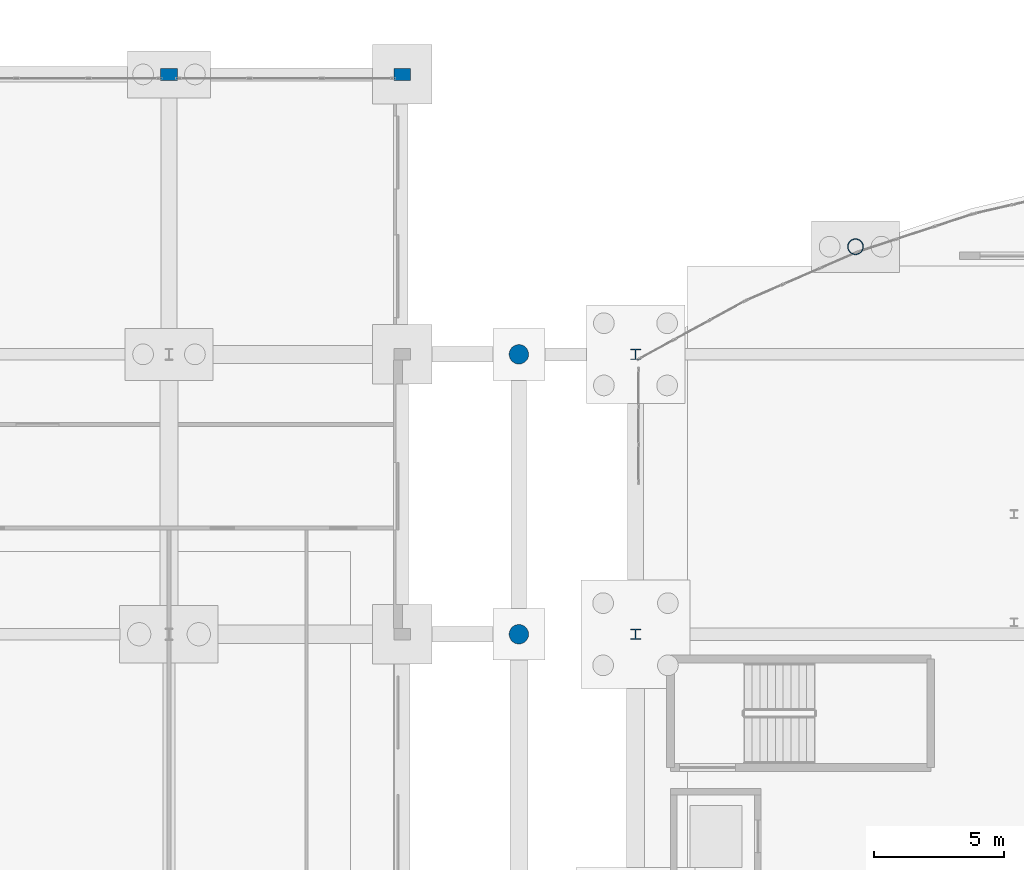
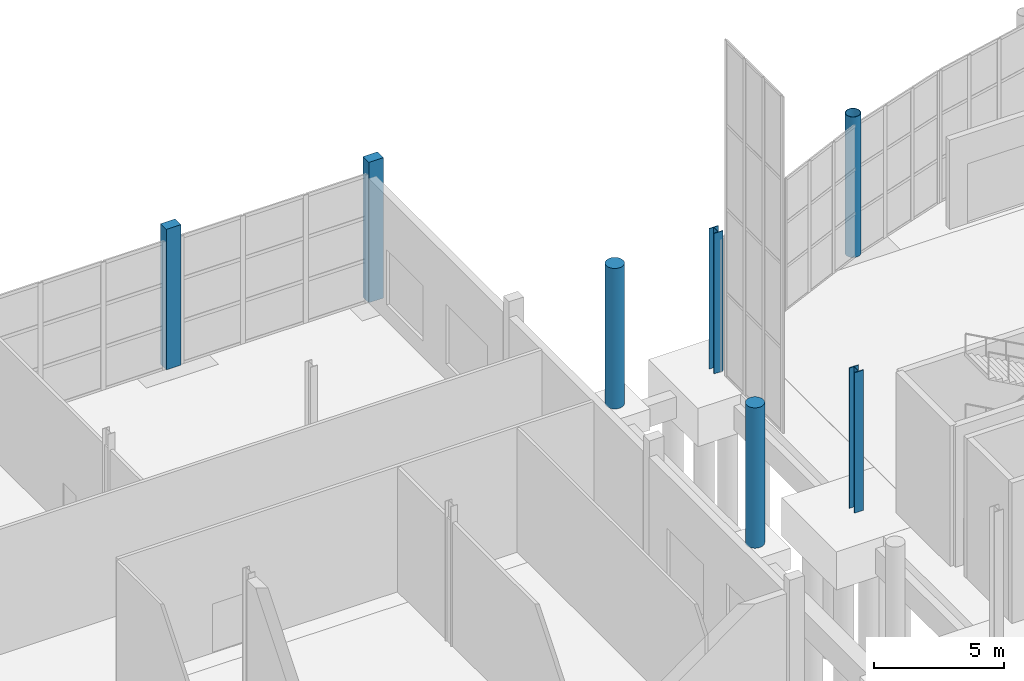
# One storey, part 20 of 115: 7 columns.
"""IFC4 building model written with IfcOpenShell, lengths in metres."""

from ifc_helpers import new_model, si_unit, direction, frame, origin, origin_2d, place, context, subcontext, project, spatial, rectangle, circle, hollow_circle, i_section, extrude, material, material_profile, profile_set, type_object, element, save


model = new_model("IFC4")

# Units and contexts
model_context = context("Model", 3, precision=1e-05, world=origin(), true_north=direction((0.0, 1.0)))
body_context = subcontext(model_context, "Body", "Model", "MODEL_VIEW")
ifc_project = project(units=[si_unit("LENGTHUNIT", "METRE"), si_unit("AREAUNIT", "SQUARE_METRE"), si_unit("VOLUMEUNIT", "CUBIC_METRE"), si_unit("PLANEANGLEUNIT", "RADIAN"), si_unit("MASSUNIT", "GRAM", prefix="KILO")], contexts=[model_context])

# Site, building, storey
site_placement = place(None, origin())
site = spatial("IfcSite", under=ifc_project, at=site_placement, CompositionType="ELEMENT")
building_placement = place(site_placement, origin())
building = spatial("IfcBuilding", under=site, at=building_placement, Name="Tamarisk Ironworks Central Station", CompositionType="ELEMENT")
storey_placement = place(building_placement, origin())
storey = spatial("IfcBuildingStorey", under=building, at=storey_placement, Name="L00", CompositionType="ELEMENT", Elevation=0.0)

# Columns
ifc_material_1 = material(Name="Clay facing brickwork and mortar", Category="masonry")
ifc_material_profile_1 = material_profile(ifc_material_1, rectangle(XDim=0.64990234375, YDim=0.449951171875, at=origin_2d()), Name="PIL 650x450")
ifc_profile_set_1 = profile_set([ifc_material_profile_1], Name="Clay facing brickwork and mortar")
column_type_1 = type_object("IfcColumnType", Name="COL-PIL01", PredefinedType="PILASTER", material=ifc_profile_set_1)
for number, where, z_axis, x_axis, name in (
    (1, (36.0, 122.39990234375, 0.0), (0.0, 0.0, 1.0), (1.0, 0.0, 0.0), "L00 column V4-05N"),
    (2, (45.0, 122.39990234375, 0.0), (0.0, 0.0, 1.0), (1.0, 0.0, 0.0), "L00 column V4-06N"),
):
    element("IfcColumn", number, at=place(storey_placement, frame(where, z_axis=z_axis, x_axis=x_axis)), inside=storey, type_object=column_type_1, Name=name, PredefinedType="PILASTER", context=body_context, shape_type="SweptSolid", body=[
        extrude(rectangle(XDim=0.64990234375, YDim=0.449951171875, at=origin_2d()), origin(), (0.0, 0.0, 1.0), 6.60009765625),
    ])
ifc_material_2 = material(Name="Concrete C50/60", Category="concrete")
ifc_material_profile_2 = material_profile(ifc_material_2, circle(Radius=0.375, at=origin_2d()), Name="RC D750")
ifc_profile_set_2 = profile_set([ifc_material_profile_2], Name="Concrete C50/60")
column_type_2 = type_object("IfcColumnType", Name="COL-RC05", PredefinedType="COLUMN", material=ifc_profile_set_2)
for number, where, z_axis, x_axis, name in (
    (3, (49.5, 100.800048828125, 0.0), (0.0, 0.0, 1.0), (1.0, 0.0, 0.0), "L00 column CN-W2"),
    (4, (49.5, 111.60009765625, 0.0), (0.0, 0.0, 1.0), (1.0, 0.0, 0.0), "L00 column CN-W3"),
):
    element("IfcColumn", number, at=place(storey_placement, frame(where, z_axis=z_axis, x_axis=x_axis)), inside=storey, type_object=column_type_2, Name=name, PredefinedType="COLUMN", context=body_context, shape_type="SweptSolid", body=[
        extrude(circle(Radius=0.375, at=origin_2d()), origin(), (0.0, 0.0, 1.0), 6.60009765625),
    ])
ifc_material_3 = material(Name="Structural steel S355J2", Category="steel")
ifc_material_profile_3 = material_profile(ifc_material_3, i_section(OverallWidth=0.404052734375, OverallDepth=0.406982421875, WebThickness=0.020751953125, FlangeThickness=0.031982421875, at=origin_2d()), Name="HD 400x347")
ifc_profile_set_3 = profile_set([ifc_material_profile_3], Name="Structural steel S355J2")
column_type_3 = type_object("IfcColumnType", Name="COL-S03", PredefinedType="COLUMN", material=ifc_profile_set_3)
for number, where, z_axis, x_axis, name in (
    (5, (54.0, 100.800048828125, 0.0), (0.0, 0.0, 1.0), (1.0, 0.0, 0.0), "L00 column V2-07J"),
    (6, (54.0, 111.60009765625, 0.0), (0.0, 0.0, 1.0), (1.0, 0.0, 0.0), "L00 column V2-07L"),
):
    element("IfcColumn", number, at=place(storey_placement, frame(where, z_axis=z_axis, x_axis=x_axis)), inside=storey, type_object=column_type_3, Name=name, PredefinedType="COLUMN", context=body_context, shape_type="SweptSolid", body=[
        extrude(i_section(OverallWidth=0.404052734375, OverallDepth=0.406982421875, WebThickness=0.020751953125, FlangeThickness=0.031982421875, at=origin_2d()), origin(), (0.0, 0.0, 1.0), 6.60009765625),
    ])
ifc_material_4 = material(Name="Painted structural steel S355J2", Category="steel")
ifc_material_profile_4 = material_profile(ifc_material_4, hollow_circle(Radius=0.304931640625, WallThickness=0.02001953125, at=origin_2d()), Name="CHS 610x20")
ifc_profile_set_4 = profile_set([ifc_material_profile_4], Name="Painted structural steel S355J2")
column_type_4 = type_object("IfcColumnType", Name="COL-S15", PredefinedType="COLUMN", material=ifc_profile_set_4)
column_placement = place(storey_placement, frame((62.48876953125, 115.752685546875, 0.0), z_axis=(0.0, 0.0, 1.0), x_axis=(1.0, 0.0, 0.0)))
element("IfcColumn", 7, at=column_placement, inside=storey, type_object=column_type_4, Name="L00 column V2-NN02", PredefinedType="COLUMN", context=body_context, shape_type="SweptSolid", body=[
    extrude(hollow_circle(Radius=0.304931640625, WallThickness=0.02001953125, at=origin_2d()), origin(), (0.0, 0.0, 1.0), 6.60009765625),
])

save(model, "model.ifc")
